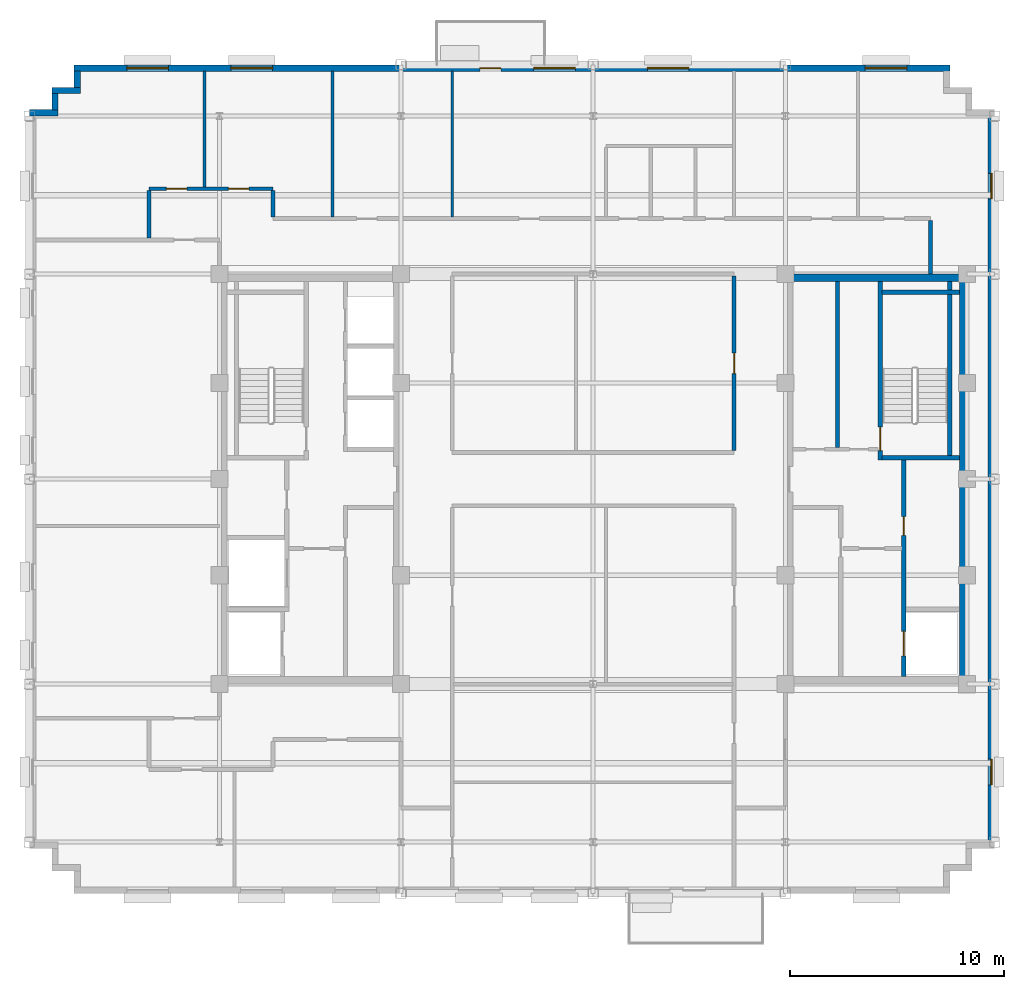
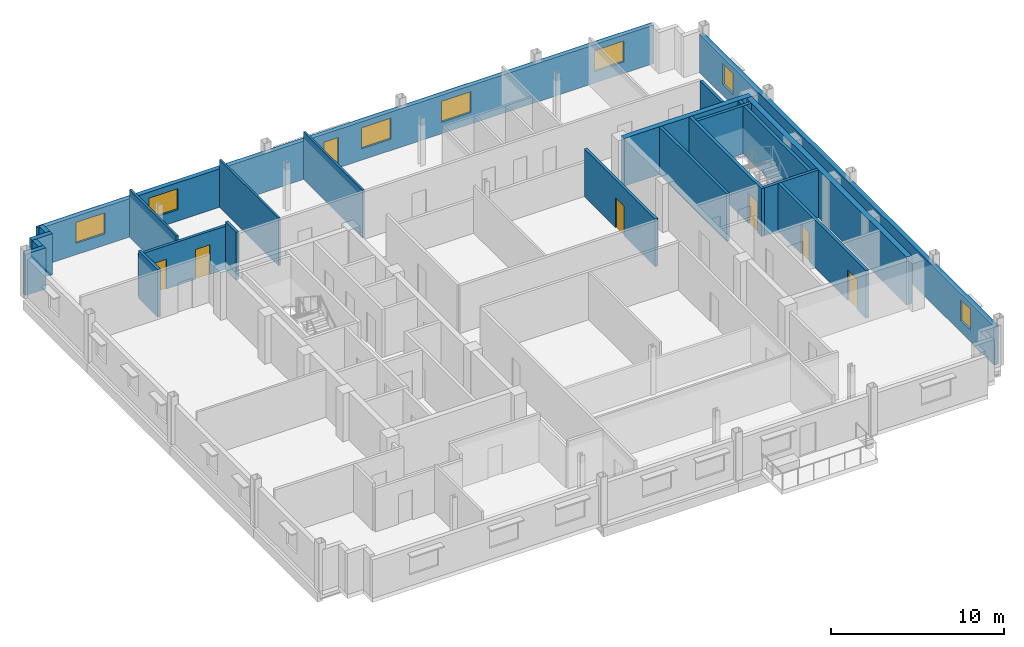
# One storey, part 8 of 13: 22 walls, 7 doors, 7 windows, 14 openings.
"""IFC4 building model written with IfcOpenShell, lengths in metres."""

from ifc_helpers import new_model, si_unit, direction, frame, frame_2d, origin, place, context, subcontext, project, spatial, rectangle, extrude, source, transform, mapped, material, layer, layer_set, type_object, type_shapes, element, fill, save


model = new_model("IFC4")

# Units and contexts
model_context = context("Model", 3, precision=1e-05, world=origin(), true_north=direction((0.0, 1.0)))
body_context = subcontext(model_context, "Body", "Model", "MODEL_VIEW")
ifc_project = project(units=[si_unit("LENGTHUNIT", "METRE"), si_unit("AREAUNIT", "SQUARE_METRE"), si_unit("VOLUMEUNIT", "CUBIC_METRE"), si_unit("PLANEANGLEUNIT", "RADIAN"), si_unit("MASSUNIT", "GRAM", prefix="KILO")], contexts=[model_context])

# Site, building, storey
site_placement = place(None, origin())
site = spatial("IfcSite", under=ifc_project, at=site_placement, CompositionType="ELEMENT")
building_placement = place(site_placement, origin())
building = spatial("IfcBuilding", under=site, at=building_placement, Name="Nuvemarco Arch Tower", CompositionType="ELEMENT")
storey_placement = place(building_placement, frame((0.0, 0.0, 231.050048828125)))
storey = spatial("IfcBuildingStorey", under=building, at=storey_placement, Name="L61", CompositionType="ELEMENT", Elevation=231.050048828125)

# Wall, openings, windows
ifc_material_1 = material(Name="Precast concrete C45/55", Category="concrete")
ifc_layer_1 = layer(ifc_material_1, 0.300048828125, Name="EW-HIGH-300")
ifc_layer_set_1 = layer_set([ifc_layer_1], Name="Precast concrete C45/55")
wall_type_1 = type_object("IfcWallType", Name="EW-HIGH-300", PredefinedType="STANDARD", material=ifc_layer_set_1)
wall_1_placement = place(storey_placement, frame((18.64990234375, -17.00390625, 0.0), z_axis=(0.0, 0.0, 1.0), x_axis=(0.0, 1.0, 0.0)))
wall_1 = element("IfcWall", 1, at=wall_1_placement, inside=storey, type_object=wall_type_1, Name="L61 exterior precast facade wall 6", PredefinedType="STANDARD", context=body_context, shape_type="SweptSolid", body=[
    extrude(rectangle(XDim=34.0078125, YDim=0.300048828125, at=frame_2d((17.00390625, 0.0))), origin(), (0.0, 0.0, 1.0), 2.704833984375),
])
opening_1_placement = place(wall_1_placement, frame((2.686279296875, 0.0, 0.800048828125)))
opening_1 = element("IfcOpeningElement", 2, at=opening_1_placement, cuts=wall_1, Name="Opening WN-8", PredefinedType="OPENING", context=body_context, shape_type="SweptSolid", body=[
    extrude(rectangle(XDim=1.199951171875, YDim=1.47998046875, at=frame_2d((0.60009765625, 0.739990234375))), frame((0.0, 0.159912109375, 0.0), z_axis=(0.0, -1.0, 0.0), x_axis=(1.0, 0.0, 0.0)), (0.0, 0.0, 1.0), 0.320068359375),
])
opening_2_placement = place(wall_1_placement, frame((30.12158203125, 0.0, 0.800048828125)))
opening_2 = element("IfcOpeningElement", 3, at=opening_2_placement, cuts=wall_1, Name="Opening WN-8", PredefinedType="OPENING", context=body_context, shape_type="SweptSolid", body=[
    extrude(rectangle(XDim=1.199951171875, YDim=1.47998046875, at=frame_2d((0.60009765625, 0.739990234375))), frame((0.0, 0.159912109375, 0.0), z_axis=(0.0, -1.0, 0.0), x_axis=(1.0, 0.0, 0.0)), (0.0, 0.0, 1.0), 0.320068359375),
])
ifc_material_2 = material(Name="Insulated solar-control glass", Category="glass")
window_type_1 = type_object("IfcWindowType", Name="WN-HIGH-1200x1480", PartitioningType="SINGLE_PANEL", PredefinedType="WINDOW", material=ifc_material_2)
shared_shape_1 = source(origin(), body_context, "Body", "SweptSolid", [
    extrude(rectangle(XDim=1.199951171875, YDim=1.47998046875, at=frame_2d((0.60009765625, 0.739990234375))), frame((0.0, 0.030029296875, 0.0), z_axis=(0.0, -1.0, 0.0), x_axis=(1.0, 0.0, 0.0)), (0.0, 0.0, 1.0), 0.06005859375),
])
type_shapes(window_type_1, [shared_shape_1])
window_1_placement = place(opening_1_placement, origin())
window_1 = element("IfcWindow", 4, at=window_1_placement, inside=storey, type_object=window_type_1, Name="L61 punched facade window 1", OverallHeight=1.47998046875, OverallWidth=1.199951171875, PartitioningType="SINGLE_PANEL", PredefinedType="WINDOW", context=body_context, shape_type="MappedRepresentation", body=[
    mapped(shared_shape_1, transform((0.0, 0.0, 0.0), scale=1.0)),
])
fill(opening_1, window_1)
window_2_placement = place(opening_2_placement, origin())
window_2 = element("IfcWindow", 5, at=window_2_placement, inside=storey, type_object=window_type_1, Name="L61 punched facade window 7", OverallHeight=1.47998046875, OverallWidth=1.199951171875, PartitioningType="SINGLE_PANEL", PredefinedType="WINDOW", context=body_context, shape_type="MappedRepresentation", body=[
    mapped(shared_shape_1, transform((0.0, 0.0, 0.0), scale=1.0)),
])
fill(opening_2, window_2)

# Wall, openings, door, windows
wall_2_placement = place(storey_placement, frame((-24.300048828125, 19.25, 0.0), z_axis=(0.0, 0.0, 1.0), x_axis=(1.0, 0.0, 0.0)))
wall_2 = element("IfcWall", 6, at=wall_2_placement, inside=storey, type_object=wall_type_1, Name="L61 exterior precast facade wall 11", PredefinedType="STANDARD", context=body_context, shape_type="SweptSolid", body=[
    extrude(rectangle(XDim=41.0, YDim=0.300048828125, at=frame_2d((20.5, 0.0))), origin(), (0.0, 0.0, 1.0), 2.704833984375),
])
opening_3_placement = place(wall_2_placement, frame((19.0, 0.0, 0.0)))
opening_3 = element("IfcOpeningElement", 7, at=opening_3_placement, cuts=wall_2, Name="Opening ED-6", PredefinedType="OPENING", context=body_context, shape_type="SweptSolid", body=[
    extrude(rectangle(XDim=0.97998046875, YDim=2.14990234375, at=frame_2d((0.489990234375, 1.074951171875))), frame((0.0, 0.159912109375, 0.0), z_axis=(0.0, -1.0, 0.0), x_axis=(1.0, 0.0, 0.0)), (0.0, 0.0, 1.0), 0.320068359375),
])
opening_4_placement = place(wall_2_placement, frame((2.46240234375, 0.0, 0.800048828125)))
opening_4 = element("IfcOpeningElement", 8, at=opening_4_placement, cuts=wall_2, Name="Opening WN-7", PredefinedType="OPENING", context=body_context, shape_type="SweptSolid", body=[
    extrude(rectangle(XDim=1.949951171875, YDim=1.47998046875, at=frame_2d((0.97509765625, 0.739990234375))), frame((0.0, 0.159912109375, 0.0), z_axis=(0.0, -1.0, 0.0), x_axis=(1.0, 0.0, 0.0)), (0.0, 0.0, 1.0), 0.320068359375),
])
opening_5_placement = place(wall_2_placement, frame((7.33740234375, 0.0, 0.800048828125)))
opening_5 = element("IfcOpeningElement", 9, at=opening_5_placement, cuts=wall_2, Name="Opening WN-7", PredefinedType="OPENING", context=body_context, shape_type="SweptSolid", body=[
    extrude(rectangle(XDim=1.949951171875, YDim=1.47998046875, at=frame_2d((0.97509765625, 0.739990234375))), frame((0.0, 0.159912109375, 0.0), z_axis=(0.0, -1.0, 0.0), x_axis=(1.0, 0.0, 0.0)), (0.0, 0.0, 1.0), 0.320068359375),
])
opening_6_placement = place(wall_2_placement, frame((21.512451171875, 0.0, 0.800048828125)))
opening_6 = element("IfcOpeningElement", 10, at=opening_6_placement, cuts=wall_2, Name="Opening WN-7", PredefinedType="OPENING", context=body_context, shape_type="SweptSolid", body=[
    extrude(rectangle(XDim=1.949951171875, YDim=1.47998046875, at=frame_2d((0.97509765625, 0.739990234375))), frame((0.0, 0.159912109375, 0.0), z_axis=(0.0, -1.0, 0.0), x_axis=(1.0, 0.0, 0.0)), (0.0, 0.0, 1.0), 0.320068359375),
])
opening_7_placement = place(wall_2_placement, frame((26.83740234375, 0.0, 0.800048828125)))
opening_7 = element("IfcOpeningElement", 11, at=opening_7_placement, cuts=wall_2, Name="Opening WN-7", PredefinedType="OPENING", context=body_context, shape_type="SweptSolid", body=[
    extrude(rectangle(XDim=1.949951171875, YDim=1.47998046875, at=frame_2d((0.97509765625, 0.739990234375))), frame((0.0, 0.159912109375, 0.0), z_axis=(0.0, -1.0, 0.0), x_axis=(1.0, 0.0, 0.0)), (0.0, 0.0, 1.0), 0.320068359375),
])
opening_8_placement = place(wall_2_placement, frame((37.03759765625, 0.0, 0.800048828125)))
opening_8 = element("IfcOpeningElement", 12, at=opening_8_placement, cuts=wall_2, Name="Opening WN-7", PredefinedType="OPENING", context=body_context, shape_type="SweptSolid", body=[
    extrude(rectangle(XDim=1.949951171875, YDim=1.47998046875, at=frame_2d((0.97509765625, 0.739990234375))), frame((0.0, 0.159912109375, 0.0), z_axis=(0.0, -1.0, 0.0), x_axis=(1.0, 0.0, 0.0)), (0.0, 0.0, 1.0), 0.320068359375),
])
ifc_material_3 = material(Name="Anodised bronze and laminated glass", Category="glass")
door_type_1 = type_object("IfcDoorType", Name="DR-EXT-BALC", OperationType="NOTDEFINED", PredefinedType="DOOR", material=ifc_material_3)
shared_shape_2 = source(origin(), body_context, "Body", "SweptSolid", [
    extrude(rectangle(XDim=0.97998046875, YDim=2.14990234375, at=frame_2d((0.489990234375, 1.074951171875))), frame((0.0, 0.02490234375, 0.0), z_axis=(0.0, -1.0, 0.0), x_axis=(1.0, 0.0, 0.0)), (0.0, 0.0, 1.0), 0.050048828125),
])
type_shapes(door_type_1, [shared_shape_2])
door_1_placement = place(opening_3_placement, origin())
door_1 = element("IfcDoor", 13, at=door_1_placement, inside=storey, type_object=door_type_1, Name="L61 tree balcony access door", OperationType="SINGLE_SWING_LEFT", OverallHeight=2.14990234375, OverallWidth=0.97998046875, PredefinedType="DOOR", context=body_context, shape_type="MappedRepresentation", body=[
    mapped(shared_shape_2, transform((0.0, 0.0, 0.0), scale=1.0)),
])
fill(opening_3, door_1)
window_type_2 = type_object("IfcWindowType", Name="WN-HIGH-1950x1480", PartitioningType="DOUBLE_PANEL_VERTICAL", PredefinedType="WINDOW", material=ifc_material_2)
shared_shape_3 = source(origin(), body_context, "Body", "SweptSolid", [
    extrude(rectangle(XDim=1.949951171875, YDim=1.47998046875, at=frame_2d((0.97509765625, 0.739990234375))), frame((0.0, 0.030029296875, 0.0), z_axis=(0.0, -1.0, 0.0), x_axis=(1.0, 0.0, 0.0)), (0.0, 0.0, 1.0), 0.06005859375),
])
type_shapes(window_type_2, [shared_shape_3])
window_3_placement = place(opening_4_placement, origin())
window_3 = element("IfcWindow", 14, at=window_3_placement, inside=storey, type_object=window_type_2, Name="L61 punched facade window 1", OverallHeight=1.47998046875, OverallWidth=1.949951171875, PartitioningType="SINGLE_PANEL", PredefinedType="WINDOW", context=body_context, shape_type="MappedRepresentation", body=[
    mapped(shared_shape_3, transform((0.0, 0.0, 0.0), scale=1.0)),
])
fill(opening_4, window_3)
window_4_placement = place(opening_5_placement, origin())
window_4 = element("IfcWindow", 15, at=window_4_placement, inside=storey, type_object=window_type_2, Name="L61 punched facade window 2", OverallHeight=1.47998046875, OverallWidth=1.949951171875, PartitioningType="SINGLE_PANEL", PredefinedType="WINDOW", context=body_context, shape_type="MappedRepresentation", body=[
    mapped(shared_shape_3, transform((0.0, 0.0, 0.0), scale=1.0)),
])
fill(opening_5, window_4)
window_5_placement = place(opening_6_placement, origin())
window_5 = element("IfcWindow", 16, at=window_5_placement, inside=storey, type_object=window_type_2, Name="L61 punched facade window 5", OverallHeight=1.47998046875, OverallWidth=1.949951171875, PartitioningType="SINGLE_PANEL", PredefinedType="WINDOW", context=body_context, shape_type="MappedRepresentation", body=[
    mapped(shared_shape_3, transform((0.0, 0.0, 0.0), scale=1.0)),
])
fill(opening_6, window_5)
window_6_placement = place(opening_7_placement, origin())
window_6 = element("IfcWindow", 17, at=window_6_placement, inside=storey, type_object=window_type_2, Name="L61 punched facade window 6", OverallHeight=1.47998046875, OverallWidth=1.949951171875, PartitioningType="SINGLE_PANEL", PredefinedType="WINDOW", context=body_context, shape_type="MappedRepresentation", body=[
    mapped(shared_shape_3, transform((0.0, 0.0, 0.0), scale=1.0)),
])
fill(opening_7, window_6)
window_7_placement = place(opening_8_placement, origin())
window_7 = element("IfcWindow", 18, at=window_7_placement, inside=storey, type_object=window_type_2, Name="L61 punched facade window 8", OverallHeight=1.47998046875, OverallWidth=1.949951171875, PartitioningType="SINGLE_PANEL", PredefinedType="WINDOW", context=body_context, shape_type="MappedRepresentation", body=[
    mapped(shared_shape_3, transform((0.0, 0.0, 0.0), scale=1.0)),
])
fill(opening_8, window_7)

# Walls
wall_3_placement = place(storey_placement, frame((-24.14990234375, 18.345947265625, 0.0), z_axis=(0.0, 0.0, 1.0), x_axis=(0.0, 1.0, 0.0)))
element("IfcWall", 19, at=wall_3_placement, inside=storey, type_object=wall_type_1, Name="L61 exterior precast facade wall 12", PredefinedType="STANDARD", context=body_context, shape_type="SweptSolid", body=[
    extrude(rectangle(XDim=0.758056640625, YDim=0.300048828125, at=frame_2d((0.37890625, 0.0))), origin(), (0.0, 0.0, 1.0), 2.891845703125),
])
wall_4_placement = place(storey_placement, frame((-25.35009765625, 18.199951171875, 0.0), z_axis=(0.0, 0.0, 1.0), x_axis=(1.0, 0.0, 0.0)))
element("IfcWall", 20, at=wall_4_placement, inside=storey, type_object=wall_type_1, Name="L61 exterior precast facade wall 13", PredefinedType="STANDARD", context=body_context, shape_type="SweptSolid", body=[
    extrude(rectangle(XDim=1.35009765625, YDim=0.300048828125, at=frame_2d((0.675048828125, 0.0))), origin(), (0.0, 0.0, 1.0), 2.891845703125),
])
wall_5_placement = place(storey_placement, frame((-25.199951171875, 17.2958984375, 0.0), z_axis=(0.0, 0.0, 1.0), x_axis=(0.0, 1.0, 0.0)))
element("IfcWall", 21, at=wall_5_placement, inside=storey, type_object=wall_type_1, Name="L61 exterior precast facade wall 14", PredefinedType="STANDARD", context=body_context, shape_type="SweptSolid", body=[
    extrude(rectangle(XDim=0.758056640625, YDim=0.300048828125, at=frame_2d((0.37890625, 0.0))), origin(), (0.0, 0.0, 1.0), 2.891845703125),
])
wall_6_placement = place(storey_placement, frame((-26.39990234375, 17.14990234375, 0.0), z_axis=(0.0, 0.0, 1.0), x_axis=(1.0, 0.0, 0.0)))
element("IfcWall", 22, at=wall_6_placement, inside=storey, type_object=wall_type_1, Name="L61 exterior precast facade wall 15", PredefinedType="STANDARD", context=body_context, shape_type="SweptSolid", body=[
    extrude(rectangle(XDim=1.349853515625, YDim=0.300048828125, at=frame_2d((0.6748046875, 0.0))), origin(), (0.0, 0.0, 1.0), 2.891845703125),
])
ifc_material_4 = material(Name="Concrete C50/60", Category="concrete")
ifc_layer_2 = layer(ifc_material_4, 0.35009765625, Name="WL-CORE-350")
ifc_layer_set_2 = layer_set([ifc_layer_2], Name="Concrete C50/60")
wall_type_2 = type_object("IfcWallType", Name="WL-CORE-350", PredefinedType="SHEAR", material=ifc_layer_set_2)
wall_7_placement = place(storey_placement, frame((9.0, 9.425048828125, 0.0), z_axis=(0.0, 0.0, 1.0), x_axis=(1.0, 0.0, 0.0)))
element("IfcWall", 23, at=wall_7_placement, inside=storey, type_object=wall_type_2, Name="L61 E-core shear wall N", PredefinedType="SHEAR", context=body_context, shape_type="SweptSolid", body=[
    extrude(rectangle(XDim=8.5, YDim=0.35009765625, at=frame_2d((4.25, 0.0))), origin(), (0.0, 0.0, 1.0), 3.369873046875),
])
wall_8_placement = place(storey_placement, frame((17.324951171875, -9.2548828125, 0.0), z_axis=(0.0, 0.0, 1.0), x_axis=(0.0, 1.0, 0.0)))
element("IfcWall", 24, at=wall_8_placement, inside=storey, type_object=wall_type_2, Name="L61 E-core shear wall E", PredefinedType="SHEAR", context=body_context, shape_type="SweptSolid", body=[
    extrude(rectangle(XDim=18.509765625, YDim=0.35009765625, at=frame_2d((9.2548828125, 0.0))), origin(), (0.0, 0.0, 1.0), 3.369873046875),
])
ifc_material_5 = material(Name="Fire-rated gypsum drywall partition")
ifc_layer_3 = layer(ifc_material_5, 0.179931640625, Name="WL-CORR-180")
ifc_layer_set_3 = layer_set([ifc_layer_3], Name="Fire-rated gypsum drywall partition")
wall_type_3 = type_object("IfcWallType", Name="WL-CORR-180", PredefinedType="PARTITIONING", material=ifc_layer_set_3)
wall_9_placement = place(storey_placement, frame((11.449951171875, 1.489990234375, 0.0), z_axis=(0.0, 0.0, 1.0), x_axis=(0.0, 1.0, 0.0)))
element("IfcWall", 25, at=wall_9_placement, inside=storey, type_object=wall_type_3, Name="L61 interior wall IW-L61-EK2", PredefinedType="PARTITIONING", context=body_context, shape_type="SweptSolid", body=[
    extrude(rectangle(XDim=7.764892578125, YDim=0.179931640625, at=frame_2d((3.88232421875, 0.0))), origin(), (0.0, 0.0, 1.0), 3.35986328125),
])

# Wall, openings, doors
wall_10_placement = place(storey_placement, frame((-20.800048828125, 13.60009765625, 0.0), z_axis=(0.0, 0.0, 1.0), x_axis=(1.0, 0.0, 0.0)))
wall_10 = element("IfcWall", 26, at=wall_10_placement, inside=storey, type_object=wall_type_3, Name="L61 interior wall IW-L61-016", PredefinedType="PARTITIONING", context=body_context, shape_type="SweptSolid", body=[
    extrude(rectangle(XDim=5.800048828125, YDim=0.179931640625, at=frame_2d((2.89990234375, 0.0))), origin(), (0.0, 0.0, 1.0), 3.049072265625),
])
opening_9_placement = place(wall_10_placement, frame((3.719970703125, 0.0, 0.0)))
opening_9 = element("IfcOpeningElement", 27, at=opening_9_placement, cuts=wall_10, Name="Opening FD-5", PredefinedType="OPENING", context=body_context, shape_type="SweptSolid", body=[
    extrude(rectangle(XDim=0.9599609375, YDim=2.10009765625, at=frame_2d((0.47998046875, 1.050048828125))), frame((0.0, 0.099853515625, 0.0), z_axis=(0.0, -1.0, 0.0), x_axis=(1.0, 0.0, 0.0)), (0.0, 0.0, 1.0), 0.199951171875),
])
opening_10_placement = place(wall_10_placement, frame((0.820068359375, 0.0, 0.0)))
opening_10 = element("IfcOpeningElement", 28, at=opening_10_placement, cuts=wall_10, Name="Opening FD-5", PredefinedType="OPENING", context=body_context, shape_type="SweptSolid", body=[
    extrude(rectangle(XDim=0.9599609375, YDim=2.10009765625, at=frame_2d((0.47998046875, 1.050048828125))), frame((0.0, 0.099853515625, 0.0), z_axis=(0.0, -1.0, 0.0), x_axis=(1.0, 0.0, 0.0)), (0.0, 0.0, 1.0), 0.199951171875),
])
ifc_material_6 = material(Name="Timber fire door", Category="wood")
door_type_2 = type_object("IfcDoorType", Name="DR-CORR-FD", OperationType="NOTDEFINED", PredefinedType="DOOR", material=ifc_material_6)
shared_shape_4 = source(origin(), body_context, "Body", "SweptSolid", [
    extrude(rectangle(XDim=0.9599609375, YDim=2.10009765625, at=frame_2d((0.47998046875, 1.050048828125))), frame((0.0, 0.02490234375, 0.0), z_axis=(0.0, -1.0, 0.0), x_axis=(1.0, 0.0, 0.0)), (0.0, 0.0, 1.0), 0.050048828125),
])
type_shapes(door_type_2, [shared_shape_4])
door_2_placement = place(opening_9_placement, origin())
door_2 = element("IfcDoor", 29, at=door_2_placement, inside=storey, type_object=door_type_2, Name="L61 door DR-L61-N_2", OperationType="SINGLE_SWING_LEFT", OverallHeight=2.10009765625, OverallWidth=0.9599609375, PredefinedType="DOOR", context=body_context, shape_type="MappedRepresentation", body=[
    mapped(shared_shape_4, transform((0.0, 0.0, 0.0), scale=1.0)),
])
fill(opening_9, door_2)
door_3_placement = place(opening_10_placement, origin())
door_3 = element("IfcDoor", 30, at=door_3_placement, inside=storey, type_object=door_type_2, Name="L61 door DR-L61-N_1", OperationType="SINGLE_SWING_LEFT", OverallHeight=2.10009765625, OverallWidth=0.9599609375, PredefinedType="DOOR", context=body_context, shape_type="MappedRepresentation", body=[
    mapped(shared_shape_4, transform((0.0, 0.0, 0.0), scale=1.0)),
])
fill(opening_10, door_3)

# Walls
wall_11_placement = place(storey_placement, frame((-20.800048828125, 11.285888671875, 0.0), z_axis=(0.0, 0.0, 1.0), x_axis=(0.0, 1.0, 0.0)))
element("IfcWall", 31, at=wall_11_placement, inside=storey, type_object=wall_type_3, Name="L61 interior wall IW-L61-019", PredefinedType="PARTITIONING", context=body_context, shape_type="SweptSolid", body=[
    extrude(rectangle(XDim=2.22802734375, YDim=0.179931640625, at=frame_2d((1.114013671875, 0.0))), origin(), (0.0, 0.0, 1.0), 3.35986328125),
])
wall_12_placement = place(storey_placement, frame((-15.0, 12.285888671875, 0.0), z_axis=(0.0, 0.0, 1.0), x_axis=(0.0, 1.0, 0.0)))
element("IfcWall", 32, at=wall_12_placement, inside=storey, type_object=wall_type_3, Name="L61 interior wall IW-L61-025", PredefinedType="PARTITIONING", context=body_context, shape_type="SweptSolid", body=[
    extrude(rectangle(XDim=1.22802734375, YDim=0.179931640625, at=frame_2d((0.614013671875, 0.0))), origin(), (0.0, 0.0, 1.0), 3.35986328125),
])

# Wall, opening, door
wall_13_placement = place(storey_placement, frame((6.60009765625, 1.3359375, 0.0), z_axis=(0.0, 0.0, 1.0), x_axis=(0.0, 1.0, 0.0)))
wall_13 = element("IfcWall", 33, at=wall_13_placement, inside=storey, type_object=wall_type_3, Name="L61 interior wall IW-L61-037", PredefinedType="PARTITIONING", context=body_context, shape_type="SweptSolid", body=[
    extrude(rectangle(XDim=8.177978515625, YDim=0.179931640625, at=frame_2d((4.0888671875, 0.0))), origin(), (0.0, 0.0, 1.0), 3.35986328125),
])
opening_11_placement = place(wall_13_placement, frame((3.60888671875, 0.0, 0.0)))
opening_11 = element("IfcOpeningElement", 34, at=opening_11_placement, cuts=wall_13, Name="Opening FD-5", PredefinedType="OPENING", context=body_context, shape_type="SweptSolid", body=[
    extrude(rectangle(XDim=0.9599609375, YDim=2.10009765625, at=frame_2d((0.47998046875, 1.050048828125))), frame((0.0, 0.099853515625, 0.0), z_axis=(0.0, -1.0, 0.0), x_axis=(1.0, 0.0, 0.0)), (0.0, 0.0, 1.0), 0.199951171875),
])
door_4_placement = place(opening_11_placement, origin())
door_4 = element("IfcDoor", 35, at=door_4_placement, inside=storey, type_object=door_type_2, Name="L61 door DR-L61-C_N2", OperationType="SINGLE_SWING_LEFT", OverallHeight=2.10009765625, OverallWidth=0.9599609375, PredefinedType="DOOR", context=body_context, shape_type="MappedRepresentation", body=[
    mapped(shared_shape_4, transform((0.0, 0.0, 0.0), scale=1.0)),
])
fill(opening_11, door_4)

# Walls
wall_14_placement = place(storey_placement, frame((15.800048828125, 9.60009765625, 0.0), z_axis=(0.0, 0.0, 1.0), x_axis=(0.0, 1.0, 0.0)))
element("IfcWall", 36, at=wall_14_placement, inside=storey, type_object=wall_type_3, Name="L61 interior wall IW-L61-041", PredefinedType="PARTITIONING", context=body_context, shape_type="SweptSolid", body=[
    extrude(rectangle(XDim=2.513916015625, YDim=0.179931640625, at=frame_2d((1.2568359375, 0.0))), origin(), (0.0, 0.0, 1.0), 3.35986328125),
])
ifc_material_7 = material(Name="Glazed acoustic office partition")
ifc_layer_4 = layer(ifc_material_7, 0.1298828125, Name="WL-EXEC-130")
ifc_layer_set_4 = layer_set([ifc_layer_4], Name="Glazed acoustic office partition")
wall_type_4 = type_object("IfcWallType", Name="WL-EXEC-130", PredefinedType="PARTITIONING", material=ifc_layer_set_4)
for number, where, z_axis, x_axis, name in (
    (37, (-12.199951171875, 12.285888671875, 0.0), (0.0, 0.0, 1.0), (0.0, 1.0, 0.0), "L61 interior wall IW-L61-026"),
    (38, (-6.60009765625, 12.285888671875, 0.0), (0.0, 0.0, 1.0), (0.0, 1.0, 0.0), "L61 interior wall IW-L61-030"),
):
    element("IfcWall", number, at=place(storey_placement, frame(where, z_axis=z_axis, x_axis=x_axis)), inside=storey, type_object=wall_type_4, Name=name, PredefinedType="PARTITIONING", context=body_context, shape_type="SweptSolid", body=[
        extrude(rectangle(XDim=6.814208984375, YDim=0.1298828125, at=frame_2d((3.4072265625, 0.0))), origin(), (0.0, 0.0, 1.0), 3.35986328125),
    ])
ifc_material_8 = material(Name="Gypsum plasterboard partition")
ifc_layer_5 = layer(ifc_material_8, 0.139892578125, Name="WL-ROOM-140")
ifc_layer_set_5 = layer_set([ifc_layer_5], Name="Gypsum plasterboard partition")
wall_type_5 = type_object("IfcWallType", Name="WL-ROOM-140", PredefinedType="PARTITIONING", material=ifc_layer_set_5)
wall_15_placement = place(storey_placement, frame((-18.199951171875, 13.68603515625, 0.0), z_axis=(0.0, 0.0, 1.0), x_axis=(0.0, 1.0, 0.0)))
element("IfcWall", 39, at=wall_15_placement, inside=storey, type_object=wall_type_5, Name="L61 interior wall IW-L61-020", PredefinedType="PARTITIONING", context=body_context, shape_type="SweptSolid", body=[
    extrude(rectangle(XDim=5.4140625, YDim=0.139892578125, at=frame_2d((2.70703125, 0.0))), origin(), (0.0, 0.0, 1.0), 3.35986328125),
])

# Wall, opening, door
ifc_layer_6 = layer(ifc_material_4, 0.199951171875, Name="WL-SHAFT-220")
ifc_layer_set_6 = layer_set([ifc_layer_6], Name="Concrete C50/60")
wall_type_6 = type_object("IfcWallType", Name="WL-SHAFT-220", PredefinedType="SHEAR", material=ifc_layer_set_6)
wall_16_placement = place(storey_placement, frame((13.43994140625, 0.89990234375, 0.0), z_axis=(0.0, 0.0, 1.0), x_axis=(0.0, 1.0, 0.0)))
wall_16 = element("IfcWall", 40, at=wall_16_placement, inside=storey, type_object=wall_type_6, Name="L61 structural shaft wall SW-L61-E-ST2W", PredefinedType="SHEAR", context=body_context, shape_type="SweptSolid", body=[
    extrude(rectangle(XDim=8.35498046875, YDim=0.199951171875, at=frame_2d((4.177490234375, 0.0))), origin(), (0.0, 0.0, 1.0), 3.369873046875),
])
opening_12_placement = place(wall_16_placement, frame((0.429931640625, 0.0, 0.0)))
opening_12 = element("IfcOpeningElement", 41, at=opening_12_placement, cuts=wall_16, Name="Opening FD-1", PredefinedType="OPENING", context=body_context, shape_type="SweptSolid", body=[
    extrude(rectangle(XDim=1.10009765625, YDim=2.14990234375, at=frame_2d((0.550048828125, 1.074951171875))), frame((0.0, 0.10986328125, 0.0), z_axis=(0.0, -1.0, 0.0), x_axis=(1.0, 0.0, 0.0)), (0.0, 0.0, 1.0), 0.219970703125),
])
ifc_material_9 = material(Name="Anodised steel fire door", Category="steel")
door_type_3 = type_object("IfcDoorType", Name="DR-STAIR-FD", OperationType="NOTDEFINED", PredefinedType="DOOR", material=ifc_material_9)
shared_shape_5 = source(origin(), body_context, "Body", "SweptSolid", [
    extrude(rectangle(XDim=1.10009765625, YDim=2.14990234375, at=frame_2d((0.550048828125, 1.074951171875))), frame((0.0, 0.02490234375, 0.0), z_axis=(0.0, -1.0, 0.0), x_axis=(1.0, 0.0, 0.0)), (0.0, 0.0, 1.0), 0.050048828125),
])
type_shapes(door_type_3, [shared_shape_5])
door_5_placement = place(opening_12_placement, origin())
door_5 = element("IfcDoor", 42, at=door_5_placement, inside=storey, type_object=door_type_3, Name="L61 door FD-L61-ST2", OperationType="SINGLE_SWING_LEFT", OverallHeight=2.14990234375, OverallWidth=1.10009765625, PredefinedType="DOOR", context=body_context, shape_type="MappedRepresentation", body=[
    mapped(shared_shape_5, transform((0.0, 0.0, 0.0), scale=1.0)),
])
fill(opening_12, door_5)

# Walls
for number, where, z_axis, x_axis, name in (
    (43, (13.534912109375, 1.0, 0.0), (0.0, 0.0, 1.0), (1.0, 0.0, 0.0), "L61 structural shaft wall SW-L61-E-ST2S"),
    (44, (13.534912109375, 8.75, 0.0), (0.0, 0.0, 1.0), (1.0, 0.0, 0.0), "L61 structural shaft wall SW-L61-E-ST2N"),
):
    element("IfcWall", number, at=place(storey_placement, frame(where, z_axis=z_axis, x_axis=x_axis)), inside=storey, type_object=wall_type_6, Name=name, PredefinedType="SHEAR", context=body_context, shape_type="SweptSolid", body=[
        extrude(rectangle(XDim=3.6201171875, YDim=0.199951171875, at=frame_2d((1.81005859375, 0.0))), origin(), (0.0, 0.0, 1.0), 3.369873046875),
    ])
wall_17_placement = place(storey_placement, frame((16.699951171875, 1.094970703125, 0.0), z_axis=(0.0, 0.0, 1.0), x_axis=(0.0, 1.0, 0.0)))
element("IfcWall", 45, at=wall_17_placement, inside=storey, type_object=wall_type_6, Name="L61 structural shaft wall SW-L61-E-ST2E", PredefinedType="SHEAR", context=body_context, shape_type="SweptSolid", body=[
    extrude(rectangle(XDim=8.159912109375, YDim=0.199951171875, at=frame_2d((4.080078125, 0.0))), origin(), (0.0, 0.0, 1.0), 3.369873046875),
])

# Wall, openings, doors
wall_18_placement = place(storey_placement, frame((14.550048828125, -9.2548828125, 0.0), z_axis=(0.0, 0.0, 1.0), x_axis=(0.0, 1.0, 0.0)))
wall_18 = element("IfcWall", 46, at=wall_18_placement, inside=storey, type_object=wall_type_6, Name="L61 structural shaft wall SW-L61-E-SHW", PredefinedType="SHEAR", context=body_context, shape_type="SweptSolid", body=[
    extrude(rectangle(XDim=10.159912109375, YDim=0.199951171875, at=frame_2d((5.080078125, 0.0))), origin(), (0.0, 0.0, 1.0), 3.369873046875),
])
opening_13_placement = place(wall_18_placement, frame((6.614990234375, 0.0, 0.0)))
opening_13 = element("IfcOpeningElement", 47, at=opening_13_placement, cuts=wall_18, Name="Opening FD-4", PredefinedType="OPENING", context=body_context, shape_type="SweptSolid", body=[
    extrude(rectangle(XDim=0.8798828125, YDim=2.10009765625, at=frame_2d((0.43994140625, 1.050048828125))), frame((0.0, 0.10986328125, 0.0), z_axis=(0.0, -1.0, 0.0), x_axis=(1.0, 0.0, 0.0)), (0.0, 0.0, 1.0), 0.219970703125),
])
opening_14_placement = place(wall_18_placement, frame((0.97998046875, 0.0, 0.0)))
opening_14 = element("IfcOpeningElement", 48, at=opening_14_placement, cuts=wall_18, Name="Opening LD-2", PredefinedType="OPENING", context=body_context, shape_type="SweptSolid", body=[
    extrude(rectangle(XDim=1.14990234375, YDim=2.14990234375, at=frame_2d((0.574951171875, 1.074951171875))), frame((0.0, 0.10986328125, 0.0), z_axis=(0.0, -1.0, 0.0), x_axis=(1.0, 0.0, 0.0)), (0.0, 0.0, 1.0), 0.219970703125),
])
door_type_4 = type_object("IfcDoorType", Name="DR-RISER-FD", OperationType="NOTDEFINED", PredefinedType="DOOR", material=ifc_material_9)
shared_shape_6 = source(origin(), body_context, "Body", "SweptSolid", [
    extrude(rectangle(XDim=0.8798828125, YDim=2.10009765625, at=frame_2d((0.43994140625, 1.050048828125))), frame((0.0, 0.02490234375, 0.0), z_axis=(0.0, -1.0, 0.0), x_axis=(1.0, 0.0, 0.0)), (0.0, 0.0, 1.0), 0.050048828125),
])
type_shapes(door_type_4, [shared_shape_6])
door_6_placement = place(opening_13_placement, origin())
door_6 = element("IfcDoor", 49, at=door_6_placement, inside=storey, type_object=door_type_4, Name="L61 door FD-L61-ERIS", OperationType="SINGLE_SWING_LEFT", OverallHeight=2.10009765625, OverallWidth=0.8798828125, PredefinedType="DOOR", context=body_context, shape_type="MappedRepresentation", body=[
    mapped(shared_shape_6, transform((0.0, 0.0, 0.0), scale=1.0)),
])
fill(opening_13, door_6)
ifc_material_10 = material(Name="Stainless steel lift door", Category="steel")
door_type_5 = type_object("IfcDoorType", Name="DR-LIFT-FIRE", OperationType="DOUBLE_DOOR_SLIDING", PredefinedType="DOOR", material=ifc_material_10)
shared_shape_7 = source(origin(), body_context, "Body", "SweptSolid", [
    extrude(rectangle(XDim=1.14990234375, YDim=2.14990234375, at=frame_2d((0.574951171875, 1.074951171875))), frame((0.0, 0.02490234375, 0.0), z_axis=(0.0, -1.0, 0.0), x_axis=(1.0, 0.0, 0.0)), (0.0, 0.0, 1.0), 0.050048828125),
])
type_shapes(door_type_5, [shared_shape_7])
door_7_placement = place(opening_14_placement, origin())
door_7 = element("IfcDoor", 50, at=door_7_placement, inside=storey, type_object=door_type_5, Name="L61 Lift landing sliding door FFL-2", OperationType="DOUBLE_DOOR_SLIDING", OverallHeight=2.14990234375, OverallWidth=1.14990234375, PredefinedType="DOOR", context=body_context, shape_type="MappedRepresentation", body=[
    mapped(shared_shape_7, transform((0.0, 0.0, 0.0), scale=1.0)),
])
fill(opening_14, door_7)

save(model, "model.ifc")
